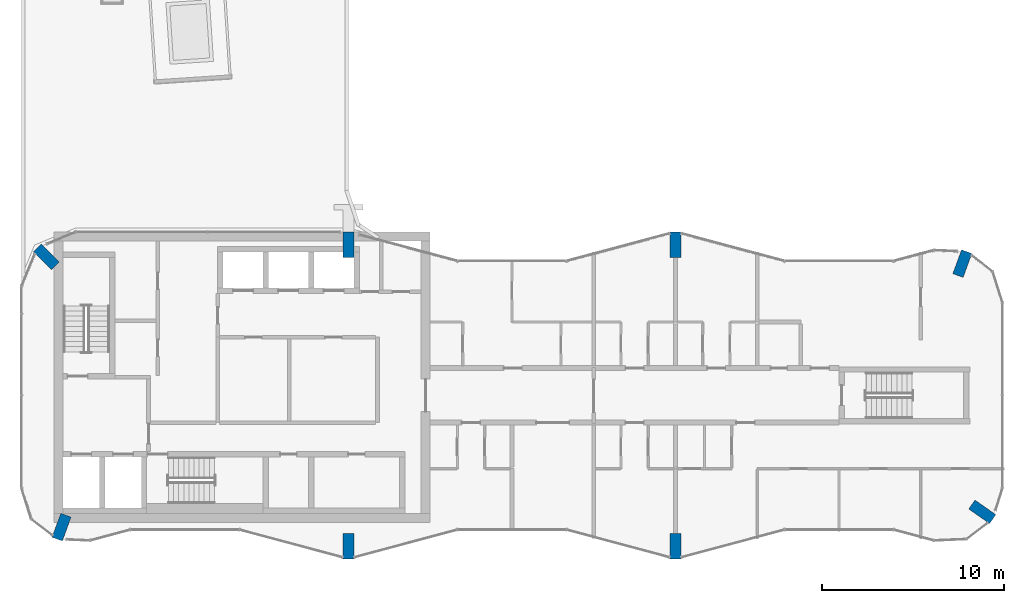
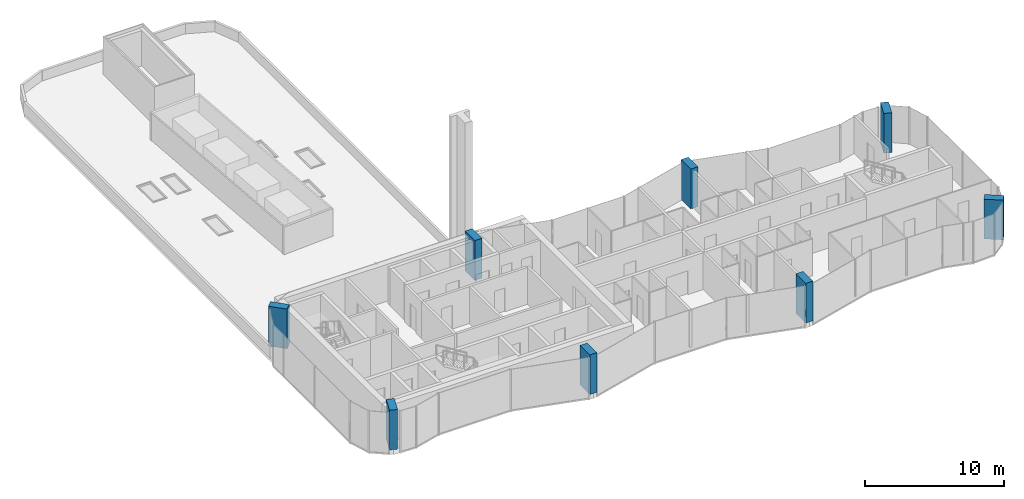
# One storey, part 1 of 13: 8 columns.
"""IFC4 building model written with IfcOpenShell, lengths in metres."""

from ifc_helpers import new_model, si_unit, direction, frame, origin, origin_2d, place, context, subcontext, project, spatial, rectangle, extrude, material, material_profile, profile_set, type_object, element, save


model = new_model("IFC4")

# Units and contexts
model_context = context("Model", 3, precision=1e-05, world=origin(), true_north=direction((0.0, 1.0)))
body_context = subcontext(model_context, "Body", "Model", "MODEL_VIEW")
ifc_project = project(units=[si_unit("LENGTHUNIT", "METRE"), si_unit("AREAUNIT", "SQUARE_METRE"), si_unit("VOLUMEUNIT", "CUBIC_METRE"), si_unit("PLANEANGLEUNIT", "RADIAN"), si_unit("MASSUNIT", "GRAM", prefix="KILO")], contexts=[model_context])

# Site, building, storey
site_placement = place(None, origin())
site = spatial("IfcSite", under=ifc_project, at=site_placement, CompositionType="ELEMENT")
building_placement = place(site_placement, origin())
building = spatial("IfcBuilding", under=site, at=building_placement, Name="Plateau Cross Towers", CompositionType="ELEMENT")
storey_placement = place(building_placement, frame((0.0, 0.0, 229.39990234375)))
storey = spatial("IfcBuildingStorey", under=building, at=storey_placement, Name="L60", CompositionType="ELEMENT", Elevation=229.39990234375)

# Columns
ifc_material = material(Name="Concrete C60/75", Category="concrete")
ifc_material_profile = material_profile(ifc_material, rectangle(XDim=0.60009765625, YDim=1.39990234375, at=origin_2d()), Name="RC 600x1400")
ifc_profile_set = profile_set([ifc_material_profile], Name="Concrete C60/75")
column_type = type_object("IfcColumnType", Name="Fin pier column RC 600x1400", PredefinedType="COLUMN", material=ifc_profile_set)
for number, where, z_axis, x_axis, name in (
    (1, (18.0, 0.699951171875, 0.0), (0.0, 0.0, 1.0), (1.0, 0.0, 0.0), "PR1 L60"),
    (2, (36.0, 0.699951171875, 0.0), (0.0, 0.0, 1.0), (1.0, 0.0, 0.0), "PR2 L60"),
    (3, (52.884033203125, 2.590087890625, 0.0), (0.0, 0.0, 1.0), (0.573542637991, 0.819175709117, 0.0), "PR3 L60"),
    (4, (51.786865234375, 16.251953125, 0.0), (0.0, 0.0, 1.0), (-0.939664280925, 0.342097996418, 0.0), "PR4 L60"),
    (5, (36.0, 17.300048828125, 0.0), (0.0, 0.0, 1.0), (1.0, 0.0, 0.0), "PR5 L60"),
    (6, (18.0, 17.300048828125, 0.0), (0.0, 0.0, 1.0), (1.0, 0.0, 0.0), "PR13 L60"),
    (7, (1.37353515625, 16.62646484375, 0.0), (0.0, 0.0, 1.0), (0.707106781187, 0.707106781187, 0.0), "PR14 L60"),
    (8, (2.213134765625, 1.748046875, 0.0), (0.0, 0.0, 1.0), (-0.939664280925, 0.342097996418, 0.0), "PR12 L60"),
):
    element("IfcColumn", number, at=place(storey_placement, frame(where, z_axis=z_axis, x_axis=x_axis)), inside=storey, type_object=column_type, Name=name, PredefinedType="COLUMN", context=body_context, shape_type="SweptSolid", body=[
        extrude(rectangle(XDim=0.60009765625, YDim=1.39990234375, at=origin_2d()), origin(), (0.0, 0.0, 1.0), 3.5),
    ])

save(model, "model.ifc")
